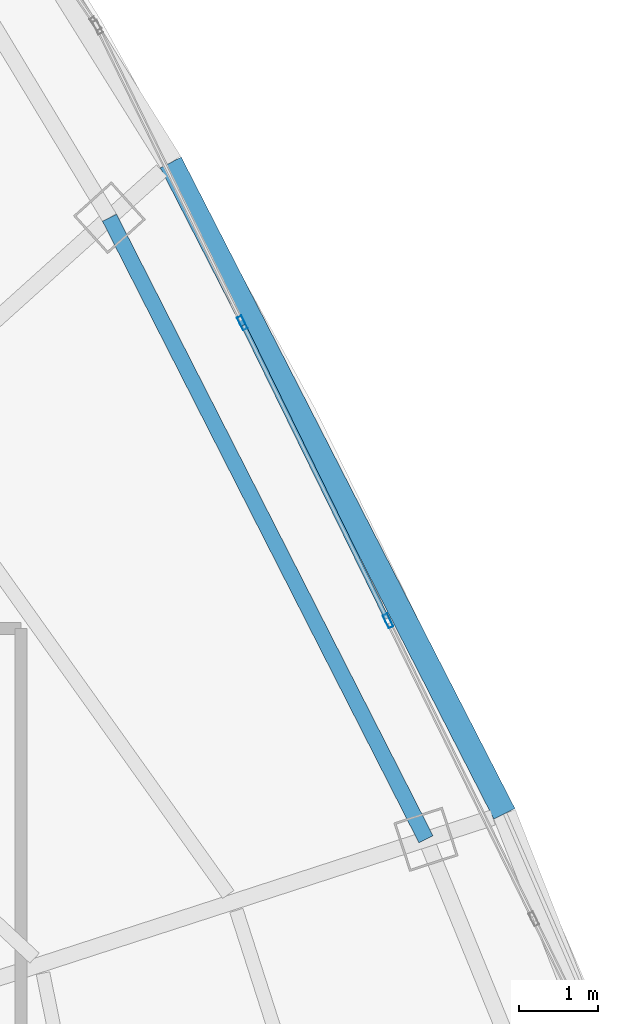
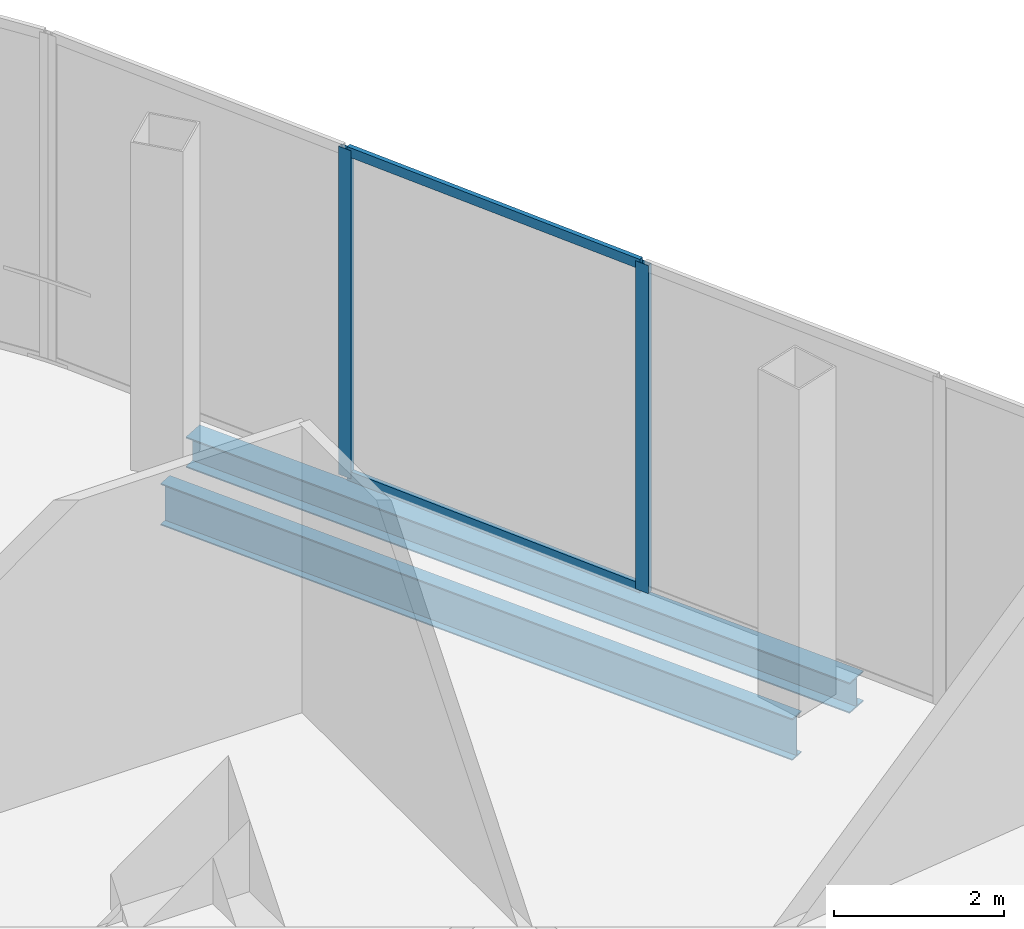
# One storey, part 20 of 32: 4 members, 2 beams, 1 element without a shape of its own.
"""IFC4 building model written with IfcOpenShell, lengths in metres."""

from ifc_helpers import new_model, si_unit, direction, frame, origin, origin_2d, place, context, subcontext, project, spatial, hollow_rectangle, i_section, extrude, source, transform, mapped, material, layer, layer_set, material_profile, profile_set, type_object, element, aggregate, save


model = new_model("IFC4")

# Units and contexts
model_context = context("Model", 3, precision=1e-05, world=origin(), true_north=direction((0.0, 1.0)))
body_context = subcontext(model_context, "Body", "Model", "MODEL_VIEW")
ifc_project = project(units=[si_unit("LENGTHUNIT", "METRE"), si_unit("AREAUNIT", "SQUARE_METRE"), si_unit("VOLUMEUNIT", "CUBIC_METRE"), si_unit("PLANEANGLEUNIT", "RADIAN"), si_unit("MASSUNIT", "GRAM", prefix="KILO"), si_unit("THERMODYNAMICTEMPERATUREUNIT", "KELVIN"), si_unit("POWERUNIT", "WATT")], contexts=[model_context])

# Site, building, storey
site_placement = place(None, origin())
site = spatial("IfcSite", under=ifc_project, at=site_placement, CompositionType="ELEMENT")
building_placement = place(site_placement, origin())
building = spatial("IfcBuilding", under=site, at=building_placement, Name="Yunzhuo Pagoda Commons", CompositionType="ELEMENT")
storey_placement = place(building_placement, frame((0.0, 0.0, 396.760009765625)))
storey = spatial("IfcBuildingStorey", under=building, at=storey_placement, Name="L98", CompositionType="ELEMENT", Elevation=396.760009765625)

# Beams
ifc_material_1 = material(Name="Structural steel Q355B", Category="steel")
ifc_material_profile_1 = material_profile(ifc_material_1, i_section(OverallWidth=0.199951171875, OverallDepth=0.60009765625, WebThickness=0.010986328125, FlangeThickness=0.01708984375, at=origin_2d()), Name="Structural steel Q355B")
ifc_profile_set_1 = profile_set([ifc_material_profile_1], Name="Structural steel Q355B")
beam_type_1 = type_object("IfcBeamType", Name="B-RG3 Beam HN 600x200x11x17", PredefinedType="BEAM", material=ifc_profile_set_1)
shared_shape_1 = source(origin(), body_context, "Body", "SweptSolid", [
    extrude(i_section(OverallWidth=0.199951171875, OverallDepth=0.60009765625, WebThickness=0.010986328125, FlangeThickness=0.01708984375, at=origin_2d()), origin(), (0.0, 0.0, 1.0), 8.87939453125),
])
beam_1_placement = place(storey_placement, frame((68.053466796875, 40.2158203125, -0.580078125), z_axis=(-0.453723535687, 0.891142498798, 0.0), x_axis=(-0.891142498798, -0.453723535687, 0.0)))
element("IfcBeam", 1, at=beam_1_placement, inside=storey, type_object=beam_type_1, Name="L98 column-ring beam 6", PredefinedType="BEAM", context=body_context, shape_type="MappedRepresentation", body=[
    mapped(shared_shape_1, transform((0.0, 0.0, 0.0), scale=1.0)),
])
ifc_material_profile_2 = material_profile(ifc_material_1, i_section(OverallWidth=0.300048828125, OverallDepth=0.43994140625, WebThickness=0.010986328125, FlangeThickness=0.01806640625, at=origin_2d()), Name="Structural steel Q355B")
ifc_profile_set_2 = profile_set([ifc_material_profile_2], Name="Structural steel Q355B")
beam_type_2 = type_object("IfcBeamType", Name="B-SP2 Beam HM 440x300x11x18", PredefinedType="BEAM", material=ifc_profile_set_2)
shared_shape_2 = source(origin(), body_context, "Body", "SweptSolid", [
    extrude(i_section(OverallWidth=0.300048828125, OverallDepth=0.43994140625, WebThickness=0.010986328125, FlangeThickness=0.01806640625, at=origin_2d()), origin(), (0.0, 0.0, 1.0), 9.3154296875),
])
beam_2_placement = place(storey_placement, frame((69.052001953125, 40.540283203125, -0.5), z_axis=(-0.455914353887, 0.89002365245, 0.0), x_axis=(-0.89002365245, -0.455914353887, 0.0)))
element("IfcBeam", 2, at=beam_2_placement, inside=storey, type_object=beam_type_2, Name="L98 facade edge spandrel beam F2.2", PredefinedType="BEAM", context=body_context, shape_type="MappedRepresentation", body=[
    mapped(shared_shape_2, transform((0.0, 0.0, 0.0), scale=1.0)),
])

# Curtain wall, members
ifc_material_2 = material(Name="Anodized aluminium 6063-T6", Category="aluminium")
ifc_layer = layer(ifc_material_2, 0.179931640625)
ifc_layer_set = layer_set([ifc_layer], Name="Anodized aluminium 6063-T6")
curtain_wall_type = type_object("IfcCurtainWallType", Name="CW-CRN Crown Gable Glazing System", PredefinedType="NOTDEFINED", material=ifc_layer_set)
curtain_wall_placement = place(storey_placement, origin())
curtain_wall = element("IfcCurtainWall", 3, at=curtain_wall_placement, inside=storey, type_object=curtain_wall_type, Name="L98 curtain wall CW-L98-CRNF2G1", PredefinedType="NOTDEFINED")
ifc_material_profile_3 = material_profile(ifc_material_2, hollow_rectangle(XDim=0.06494140625, YDim=0.179931640625, WallThickness=0.00390625, at=origin_2d()), Name="Anodized aluminium 6063-T6")
ifc_profile_set_3 = profile_set([ifc_material_profile_3], Name="Anodized aluminium 6063-T6")
member_type_1 = type_object("IfcMemberType", Name="CW-CRN-M Mullion RHS 180x65x4", PredefinedType="MULLION", material=ifc_profile_set_3)
shared_shape_3 = source(origin(), body_context, "Body", "SweptSolid", [
    extrude(hollow_rectangle(XDim=0.06494140625, YDim=0.179931640625, WallThickness=0.00390625, at=origin_2d()), origin(), (0.0, 0.0, 1.0), 4.72021484375),
])
member_1_placement = place(storey_placement, frame((67.570556640625, 42.995849609375, 0.0), z_axis=(0.0, 0.0, 1.0), x_axis=(-0.898299261226, -0.439384156839, 0.0)))
member_1 = element("IfcMember", 4, at=member_1_placement, type_object=member_type_1, Name="CW mullion 3", PredefinedType="MULLION", context=body_context, shape_type="MappedRepresentation", body=[
    mapped(shared_shape_3, transform((0.0, 0.0, 0.0), scale=1.0)),
])
member_2_placement = place(storey_placement, frame((65.71484375, 46.789306640625, 0.0), z_axis=(0.0, 0.0, 1.0), x_axis=(-0.898299261226, -0.439384156839, 0.0)))
member_2 = element("IfcMember", 5, at=member_2_placement, type_object=member_type_1, Name="CW mullion 4", PredefinedType="MULLION", context=body_context, shape_type="MappedRepresentation", body=[
    mapped(shared_shape_3, transform((0.0, 0.0, 0.0), scale=1.0)),
])
ifc_material_profile_4 = material_profile(ifc_material_2, hollow_rectangle(XDim=0.06005859375, YDim=0.139892578125, WallThickness=0.00341796875, at=origin_2d()), Name="Anodized aluminium 6063-T6")
ifc_profile_set_4 = profile_set([ifc_material_profile_4], Name="Anodized aluminium 6063-T6")
member_type_2 = type_object("IfcMemberType", Name="CW-CRN-T Transom RHS 140x60x3.5", PredefinedType="USERDEFINED", material=ifc_profile_set_4)
shared_shape_4 = source(origin(), body_context, "Body", "SweptSolid", [
    extrude(hollow_rectangle(XDim=0.06005859375, YDim=0.139892578125, WallThickness=0.00341796875, at=origin_2d()), origin(), (0.0, 0.0, 1.0), 4.157470703125),
])
member_3_placement = place(storey_placement, frame((67.55615234375, 43.025390625, 0.030029296875), z_axis=(-0.439421816361, 0.898280839886, 0.0), x_axis=(-0.898280839886, -0.439421816361, 0.0)))
member_3 = element("IfcMember", 6, at=member_3_placement, type_object=member_type_2, Name="CW transom 3.1", ObjectType="TRANSOM", PredefinedType="USERDEFINED", context=body_context, shape_type="MappedRepresentation", body=[
    mapped(shared_shape_4, transform((0.0, 0.0, 0.0), scale=1.0)),
])
member_4_placement = place(storey_placement, frame((67.55615234375, 43.025390625, 4.68994140625), z_axis=(-0.439421816361, 0.898280839886, 0.0), x_axis=(-0.898280839886, -0.439421816361, 0.0)))
member_4 = element("IfcMember", 7, at=member_4_placement, type_object=member_type_2, Name="CW transom 3.2", ObjectType="TRANSOM", PredefinedType="USERDEFINED", context=body_context, shape_type="MappedRepresentation", body=[
    mapped(shared_shape_4, transform((0.0, 0.0, 0.0), scale=1.0)),
])
aggregate(curtain_wall, [member_1, member_2, member_3, member_4])

save(model, "model.ifc")
